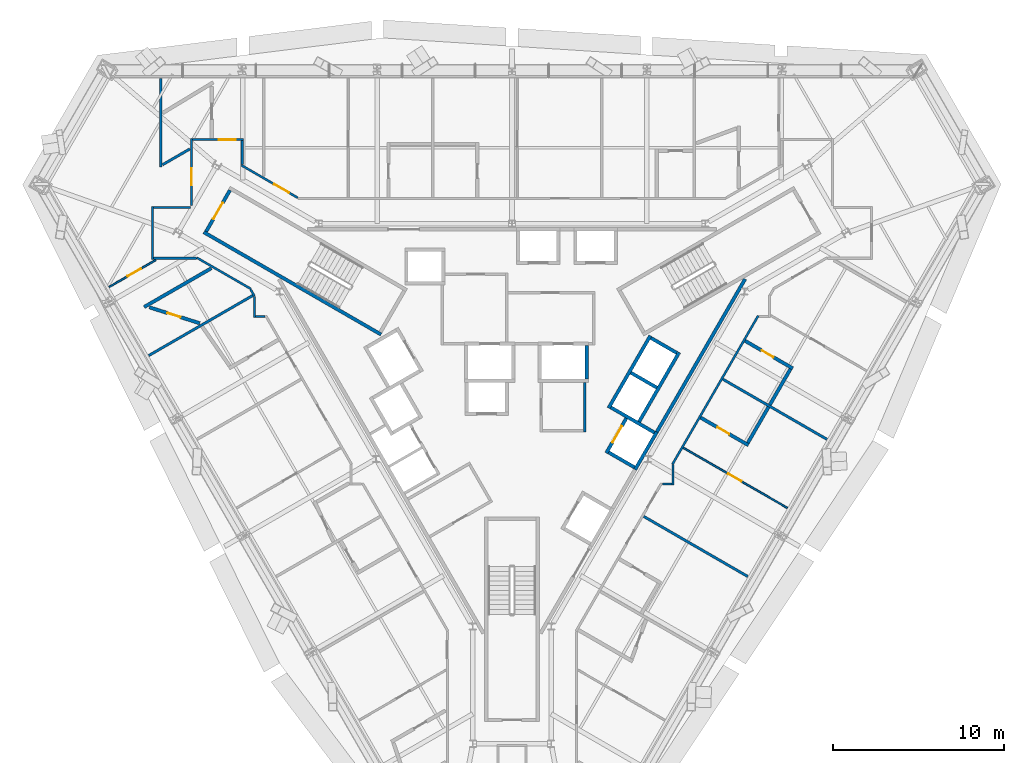
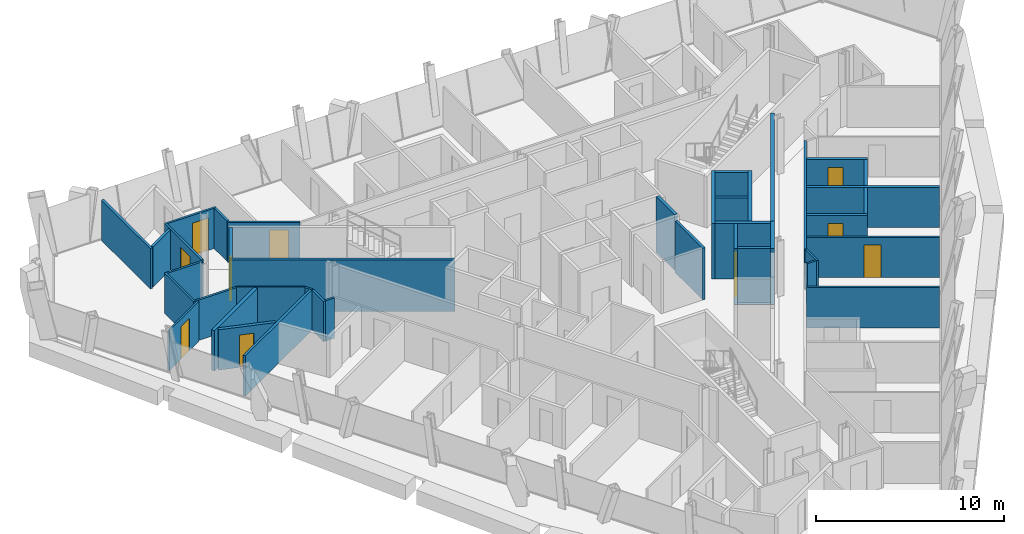
# One storey, part 9 of 13: 40 walls, 10 doors, 10 openings.
"""IFC4 building model written with IfcOpenShell, lengths in metres."""

from ifc_helpers import new_model, si_unit, direction, frame, frame_2d, origin, place, context, subcontext, project, spatial, rectangle, extrude, material, layer, layer_set, type_object, element, fill, save


model = new_model("IFC4")

# Units and contexts
model_context = context("Model", 3, precision=1e-05, world=origin(), true_north=direction((0.0, 1.0)))
body_context = subcontext(model_context, "Body", "Model", "MODEL_VIEW")
ifc_project = project(units=[si_unit("LENGTHUNIT", "METRE"), si_unit("AREAUNIT", "SQUARE_METRE"), si_unit("VOLUMEUNIT", "CUBIC_METRE"), si_unit("PLANEANGLEUNIT", "RADIAN"), si_unit("MASSUNIT", "GRAM", prefix="KILO")], contexts=[model_context])

# Site, building, storey
site_placement = place(None, origin())
site = spatial("IfcSite", under=ifc_project, at=site_placement, CompositionType="ELEMENT")
building_placement = place(site_placement, origin())
building = spatial("IfcBuilding", under=site, at=building_placement, Name="Verrane Prism Tower", CompositionType="ELEMENT")
storey_placement = place(building_placement, frame((0.0, 0.0, 100.0)))
storey = spatial("IfcBuildingStorey", under=building, at=storey_placement, Name="L23", CompositionType="ELEMENT", Elevation=100.0)

# Wall
ifc_material_1 = material(Name="Gypsum board partition", Category="other")
ifc_layer_1 = layer(ifc_material_1, 0.199951171875)
ifc_layer_set_1 = layer_set([ifc_layer_1], Name="CW-200 core boundary wall 2 h")
wall_type_1 = type_object("IfcWallType", Name="CW-200 core boundary wall 2 h", PredefinedType="PARTITIONING", material=ifc_layer_set_1)
wall_1_placement = place(storey_placement, frame((8.491943359375, -3.011962890625, 0.0), z_axis=(0.0, 0.0, 1.0), x_axis=(0.499972957231, 0.866041016371, 0.0)))
element("IfcWall", 1, at=wall_1_placement, inside=storey, type_object=wall_type_1, Name="Core boundary wall CW3-007", PredefinedType="PARTITIONING", context=body_context, shape_type="SweptSolid", body=[
    extrude(rectangle(XDim=10.3486328125, YDim=0.199951171875, at=frame_2d((5.17431640625, 0.0))), origin(), (0.0, 0.0, 1.0), 3.35009765625),
])

# Wall, opening, door
ifc_material_2 = material(Name="Concrete C40/50", Category="concrete")
ifc_layer_2 = layer(ifc_material_2, 0.199951171875)
ifc_layer_set_2 = layer_set([ifc_layer_2], Name="CW-200 stair core wall concrete C40/50 3 h")
wall_type_2 = type_object("IfcWallType", Name="CW-200 stair core wall concrete C40/50 3 h", PredefinedType="PARTITIONING", material=ifc_layer_set_2)
wall_2_placement = place(storey_placement, frame((-16.533935546875, 11.162353515625, 0.0), z_axis=(0.0, 0.0, 1.0), x_axis=(-0.49998411664, -0.866034573852, 0.0)))
wall_2 = element("IfcWall", 2, at=wall_2_placement, inside=storey, type_object=wall_type_2, Name="Stair 2 enclosure wall", PredefinedType="PARTITIONING", context=body_context, shape_type="SweptSolid", body=[
    extrude(rectangle(XDim=2.7998046875, YDim=0.199951171875, at=frame_2d((1.39990234375, 0.0))), origin(), (0.0, 0.0, 1.0), 3.35009765625),
])
opening_1_placement = place(wall_2_placement, frame((0.849853515625, 0.0, 0.0)))
opening_1 = element("IfcOpeningElement", 3, at=opening_1_placement, cuts=wall_2, Name="Opening D21501", PredefinedType="OPENING", context=body_context, shape_type="SweptSolid", body=[
    extrude(rectangle(XDim=1.10009765625, YDim=2.10009765625, at=frame_2d((0.550048828125, 1.050048828125))), frame((0.0, 0.10986328125, 0.0), z_axis=(0.0, -1.0, 0.0), x_axis=(1.0, 0.0, 0.0)), (0.0, 0.0, 1.0), 0.219970703125),
])
ifc_material_3 = material(Name="Timber veneered door leaf", Category="wood")
door_type_1 = type_object("IfcDoorType", Name="DR-1100x2100 FD90 single leaf stair", OperationType="NOTDEFINED", PredefinedType="DOOR", material=ifc_material_3)
door_1_placement = place(opening_1_placement, origin())
door_1 = element("IfcDoor", 4, at=door_1_placement, inside=storey, type_object=door_type_1, Name="Stair 2 door", OperationType="SINGLE_SWING_RIGHT", OverallHeight=2.10009765625, OverallWidth=1.10009765625, PredefinedType="DOOR", context=body_context, shape_type="SweptSolid", body=[
    extrude(rectangle(XDim=1.10009765625, YDim=2.10009765625, at=frame_2d((0.550048828125, 1.050048828125))), frame((0.0, 0.02490234375, 0.0), z_axis=(0.0, -1.0, 0.0), x_axis=(1.0, 0.0, 0.0)), (0.0, 0.0, 1.0), 0.050048828125),
])
fill(opening_1, door_1)

# Walls
wall_3_placement = place(storey_placement, frame((-7.67822265625, 2.700927734375, 0.0), z_axis=(0.0, 0.0, 1.0), x_axis=(-0.866026010844, 0.49999894854, 0.0)))
element("IfcWall", 5, at=wall_3_placement, inside=storey, type_object=wall_type_2, Name="Stair 2 enclosure wall", PredefinedType="PARTITIONING", context=body_context, shape_type="SweptSolid", body=[
    extrude(rectangle(XDim=12.0, YDim=0.199951171875, at=frame_2d((6.0, 0.0))), origin(), (0.0, 0.0, 1.0), 3.35009765625),
])
ifc_material_4 = material(Name="Gypsum board shaft wall assembly", Category="other")
ifc_layer_3 = layer(ifc_material_4, 0.199951171875)
ifc_layer_set_3 = layer_set([ifc_layer_3], Name="HW-200 lift shaft wall 2 h")
wall_type_3 = type_object("IfcWallType", Name="HW-200 lift shaft wall 2 h", PredefinedType="PARTITIONING", material=ifc_layer_set_3)
wall_4_placement = place(storey_placement, frame((7.215576171875, -5.222412109375, 0.0), z_axis=(0.0, 0.0, 1.0), x_axis=(0.499990435942, 0.866030925526, 0.0)))
element("IfcWall", 6, at=wall_4_placement, inside=storey, type_object=wall_type_3, Name="Lift shaft wall", PredefinedType="PARTITIONING", context=body_context, shape_type="SweptSolid", body=[
    extrude(rectangle(XDim=2.5498046875, YDim=0.199951171875, at=frame_2d((1.27490234375, 0.0))), origin(), (0.0, 0.0, 1.0), 3.60009765625),
])
wall_5_placement = place(storey_placement, frame((7.451171875, -2.4140625, 0.0), z_axis=(0.0, 0.0, 1.0), x_axis=(0.500016218704, 0.866016039709, 0.0)))
element("IfcWall", 7, at=wall_5_placement, inside=storey, type_object=wall_type_3, Name="Lift shaft wall", PredefinedType="PARTITIONING", context=body_context, shape_type="SweptSolid", body=[
    extrude(rectangle(XDim=4.699951171875, YDim=0.199951171875, at=frame_2d((2.35009765625, 0.0))), origin(), (0.0, 0.0, 1.0), 3.60009765625),
])

# Wall, opening, door
wall_6_placement = place(storey_placement, frame((5.52685546875, -4.247314453125, 0.0), z_axis=(0.0, 0.0, 1.0), x_axis=(0.499938297808, 0.866061024631, 0.0)))
wall_6 = element("IfcWall", 8, at=wall_6_placement, inside=storey, type_object=wall_type_3, Name="Lift shaft wall", PredefinedType="PARTITIONING", context=body_context, shape_type="SweptSolid", body=[
    extrude(rectangle(XDim=2.349853515625, YDim=0.199951171875, at=frame_2d((1.1748046875, 0.0))), origin(), (0.0, 0.0, 1.0), 3.60009765625),
])
opening_2_placement = place(wall_6_placement, frame((0.72509765625, 0.0, 0.0)))
opening_2 = element("IfcOpeningElement", 9, at=opening_2_placement, cuts=wall_6, Name="Opening D21507", PredefinedType="OPENING", context=body_context, shape_type="SweptSolid", body=[
    extrude(rectangle(XDim=1.10009765625, YDim=2.10009765625, at=frame_2d((0.550048828125, 1.050048828125))), frame((0.0, 0.10986328125, 0.0), z_axis=(0.0, -1.0, 0.0), x_axis=(1.0, 0.0, 0.0)), (0.0, 0.0, 1.0), 0.219970703125),
])
ifc_material_5 = material(Name="Stainless steel sliding landing door", Category="steel")
door_type_2 = type_object("IfcDoorType", Name="LD-1100x2100 lift landing door FD90 sliding", OperationType="NOTDEFINED", PredefinedType="DOOR", material=ifc_material_5)
door_2_placement = place(opening_2_placement, origin())
door_2 = element("IfcDoor", 10, at=door_2_placement, inside=storey, type_object=door_type_2, Name="Bank A lift 5 landing door", OperationType="SLIDING_TO_LEFT", OverallHeight=2.10009765625, OverallWidth=1.10009765625, PredefinedType="DOOR", context=body_context, shape_type="SweptSolid", body=[
    extrude(rectangle(XDim=1.10009765625, YDim=2.10009765625, at=frame_2d((0.550048828125, 1.050048828125))), frame((0.0, 0.02490234375, 0.0), z_axis=(0.0, -1.0, 0.0), x_axis=(1.0, 0.0, 0.0)), (0.0, 0.0, 1.0), 0.050048828125),
])
fill(opening_2, door_2)

# Walls
wall_7_placement = place(storey_placement, frame((5.66259765625, -1.6123046875, 0.0), z_axis=(0.0, 0.0, 1.0), x_axis=(0.49998122708, 0.866036242063, 0.0)))
element("IfcWall", 11, at=wall_7_placement, inside=storey, type_object=wall_type_3, Name="Lift shaft wall", PredefinedType="PARTITIONING", context=body_context, shape_type="SweptSolid", body=[
    extrude(rectangle(XDim=4.900146484375, YDim=0.199951171875, at=frame_2d((2.4501953125, 0.0))), origin(), (0.0, 0.0, 1.0), 3.60009765625),
])
wall_8_placement = place(storey_placement, frame((4.375, 0.10009765625, 0.0), z_axis=(0.0, 0.0, 1.0), x_axis=(0.0, 1.0, 0.0)))
element("IfcWall", 12, at=wall_8_placement, inside=storey, type_object=wall_type_3, Name="Lift shaft wall", PredefinedType="PARTITIONING", context=body_context, shape_type="SweptSolid", body=[
    extrude(rectangle(XDim=1.949951171875, YDim=0.199951171875, at=frame_2d((0.97509765625, 0.0))), origin(), (0.0, 0.0, 1.0), 3.60009765625),
])
wall_9_placement = place(storey_placement, frame((9.66455078125, 1.61962890625, 0.0), z_axis=(0.0, 0.0, 1.0), x_axis=(-0.866002029911, 0.500040482552, 0.0)))
element("IfcWall", 13, at=wall_9_placement, inside=storey, type_object=wall_type_3, Name="Lift shaft wall", PredefinedType="PARTITIONING", context=body_context, shape_type="SweptSolid", body=[
    extrude(rectangle(XDim=1.749755859375, YDim=0.199951171875, at=frame_2d((0.875, 0.0))), origin(), (0.0, 0.0, 1.0), 3.60009765625),
])
wall_10_placement = place(storey_placement, frame((8.48974609375, -0.41552734375, 0.0), z_axis=(0.0, 0.0, 1.0), x_axis=(-0.866036909293, 0.499980071345, 0.0)))
element("IfcWall", 14, at=wall_10_placement, inside=storey, type_object=wall_type_3, Name="Lift shaft wall", PredefinedType="PARTITIONING", context=body_context, shape_type="SweptSolid", body=[
    extrude(rectangle(XDim=1.75, YDim=0.199951171875, at=frame_2d((0.875, 0.0))), origin(), (0.0, 0.0, 1.0), 3.60009765625),
])
wall_11_placement = place(storey_placement, frame((8.35400390625, -3.050537109375, 0.0), z_axis=(0.0, 0.0, 1.0), x_axis=(-0.866060182126, 0.499939757307, 0.0)))
element("IfcWall", 15, at=wall_11_placement, inside=storey, type_object=wall_type_3, Name="Lift shaft wall", PredefinedType="PARTITIONING", context=body_context, shape_type="SweptSolid", body=[
    extrude(rectangle(XDim=2.949951171875, YDim=0.199951171875, at=frame_2d((1.47509765625, 0.0))), origin(), (0.0, 0.0, 1.0), 3.60009765625),
])
wall_12_placement = place(storey_placement, frame((7.178955078125, -5.085693359375, 0.0), z_axis=(0.0, 0.0, 1.0), x_axis=(-0.866036909293, 0.499980071345, 0.0)))
element("IfcWall", 16, at=wall_12_placement, inside=storey, type_object=wall_type_3, Name="Lift shaft wall", PredefinedType="PARTITIONING", context=body_context, shape_type="SweptSolid", body=[
    extrude(rectangle(XDim=1.75, YDim=0.199951171875, at=frame_2d((0.875, 0.0))), origin(), (0.0, 0.0, 1.0), 3.60009765625),
])

# Wall, opening, door
ifc_material_6 = material(Name="Gypsum board partition", Category="other")
ifc_layer_4 = layer(ifc_material_6, 0.10009765625)
ifc_layer_set_4 = layer_set([ifc_layer_4], Name="PW-100 room partition")
wall_type_4 = type_object("IfcWallType", Name="PW-100 room partition", PredefinedType="PARTITIONING", material=ifc_layer_set_4)
wall_13_placement = place(storey_placement, frame((-20.88037109375, 7.067138671875, 0.0), z_axis=(0.0, 0.0, 1.0), x_axis=(-0.866127794624, -0.499822611913, 0.0)))
wall_13 = element("IfcWall", 17, at=wall_13_placement, inside=storey, type_object=wall_type_4, Name="Room partition 001", PredefinedType="PARTITIONING", context=body_context, shape_type="SweptSolid", body=[
    extrude(rectangle(XDim=3.165283203125, YDim=0.10009765625, at=frame_2d((1.58251953125, 0.0))), origin(), (0.0, 0.0, 1.0), 2.613037109375),
])
opening_3_placement = place(wall_13_placement, frame((1.01123046875, 0.0, 0.0)))
opening_3 = element("IfcOpeningElement", 18, at=opening_3_placement, cuts=wall_13, Name="Opening D21026", PredefinedType="OPENING", context=body_context, shape_type="SweptSolid", body=[
    extrude(rectangle(XDim=0.89990234375, YDim=2.10009765625, at=frame_2d((0.449951171875, 1.050048828125))), frame((0.0, 0.06005859375, 0.0), z_axis=(0.0, -1.0, 0.0), x_axis=(1.0, 0.0, 0.0)), (0.0, 0.0, 1.0), 0.1201171875),
])
ifc_material_7 = material(Name="Timber veneered door leaf", Category="wood")
door_type_3 = type_object("IfcDoorType", Name="DR-900x2100 single leaf inner", OperationType="NOTDEFINED", PredefinedType="DOOR", material=ifc_material_7)
door_3_placement = place(opening_3_placement, origin())
door_3 = element("IfcDoor", 19, at=door_3_placement, inside=storey, type_object=door_type_3, Name="Suite Living Room door", OperationType="SINGLE_SWING_LEFT", OverallHeight=2.10009765625, OverallWidth=0.89990234375, PredefinedType="DOOR", context=body_context, shape_type="SweptSolid", body=[
    extrude(rectangle(XDim=0.89990234375, YDim=2.10009765625, at=frame_2d((0.449951171875, 1.050048828125))), frame((0.0, 0.02490234375, 0.0), z_axis=(0.0, -1.0, 0.0), x_axis=(1.0, 0.0, 0.0)), (0.0, 0.0, 1.0), 0.050048828125),
])
fill(opening_3, door_3)

wall_14_placement = place(storey_placement, frame((10.037109375, -3.940185546875, 0.0), z_axis=(0.0, 0.0, 1.0), x_axis=(0.866063951978, -0.499933226626, 0.0)))
wall_14 = element("IfcWall", 20, at=wall_14_placement, inside=storey, type_object=wall_type_4, Name="Room partition 072", PredefinedType="PARTITIONING", context=body_context, shape_type="SweptSolid", body=[
    extrude(rectangle(XDim=7.05224609375, YDim=0.10009765625, at=frame_2d((3.526123046875, 0.0))), origin(), (0.0, 0.0, 1.0), 2.613037109375),
])
opening_4_placement = place(wall_14_placement, frame((3.03759765625, 0.0, 0.0)))
opening_4 = element("IfcOpeningElement", 21, at=opening_4_placement, cuts=wall_14, Name="Opening D21007", PredefinedType="OPENING", context=body_context, shape_type="SweptSolid", body=[
    extrude(rectangle(XDim=0.89990234375, YDim=2.10009765625, at=frame_2d((0.449951171875, 1.050048828125))), frame((0.0, 0.06005859375, 0.0), z_axis=(0.0, -1.0, 0.0), x_axis=(1.0, 0.0, 0.0)), (0.0, 0.0, 1.0), 0.1201171875),
])
door_4_placement = place(opening_4_placement, origin())
door_4 = element("IfcDoor", 22, at=door_4_placement, inside=storey, type_object=door_type_3, Name="Suite Living Room door", OperationType="SINGLE_SWING_LEFT", OverallHeight=2.10009765625, OverallWidth=0.89990234375, PredefinedType="DOOR", context=body_context, shape_type="SweptSolid", body=[
    extrude(rectangle(XDim=0.89990234375, YDim=2.10009765625, at=frame_2d((0.449951171875, 1.050048828125))), frame((0.0, 0.02490234375, 0.0), z_axis=(0.0, -1.0, 0.0), x_axis=(1.0, 0.0, 0.0)), (0.0, 0.0, 1.0), 0.050048828125),
])
fill(opening_4, door_4)

# Walls
ifc_material_8 = material(Name="Gypsum board partition", Category="other")
ifc_layer_5 = layer(ifc_material_8, 0.125)
ifc_layer_set_5 = layer_set([ifc_layer_5], Name="PW-125 corridor wall 1 h")
wall_type_5 = type_object("IfcWallType", Name="PW-125 corridor wall 1 h", PredefinedType="PARTITIONING", material=ifc_layer_set_5)
wall_15_placement = place(storey_placement, frame((-21.0869140625, 7.110595703125, 0.0), z_axis=(0.0, 0.0, 1.0), x_axis=(0.0, 1.0, 0.0)))
element("IfcWall", 23, at=wall_15_placement, inside=storey, type_object=wall_type_5, Name="Corridor wall 005", PredefinedType="PARTITIONING", context=body_context, shape_type="SweptSolid", body=[
    extrude(rectangle(XDim=3.098876953125, YDim=0.125, at=frame_2d((1.54931640625, 0.0))), origin(), (0.0, 0.0, 1.0), 2.613037109375),
])
wall_16_placement = place(storey_placement, frame((-21.02197265625, 7.173095703125, 0.0), z_axis=(0.0, 0.0, 1.0), x_axis=(1.0, 0.0, 0.0)))
element("IfcWall", 24, at=wall_16_placement, inside=storey, type_object=wall_type_5, Name="Corridor wall 006", PredefinedType="PARTITIONING", context=body_context, shape_type="SweptSolid", body=[
    extrude(rectangle(XDim=2.512939453125, YDim=0.125, at=frame_2d((1.25634765625, 0.0))), origin(), (0.0, 0.0, 1.0), 2.613037109375),
])
wall_17_placement = place(storey_placement, frame((-21.02197265625, 10.14697265625, 0.0), z_axis=(0.0, 0.0, 1.0), x_axis=(1.0, 0.0, 0.0)))
element("IfcWall", 25, at=wall_17_placement, inside=storey, type_object=wall_type_5, Name="Corridor wall 007", PredefinedType="PARTITIONING", context=body_context, shape_type="SweptSolid", body=[
    extrude(rectangle(XDim=2.169921875, YDim=0.125, at=frame_2d((1.0849609375, 0.0))), origin(), (0.0, 0.0, 1.0), 2.613037109375),
])

# Wall, opening, door
wall_18_placement = place(storey_placement, frame((-18.787109375, 10.259033203125, 0.0), z_axis=(0.0, 0.0, 1.0), x_axis=(0.0, 1.0, 0.0)))
wall_18 = element("IfcWall", 26, at=wall_18_placement, inside=storey, type_object=wall_type_5, Name="Corridor wall 011", PredefinedType="PARTITIONING", context=body_context, shape_type="SweptSolid", body=[
    extrude(rectangle(XDim=3.930419921875, YDim=0.125, at=frame_2d((1.96533203125, 0.0))), origin(), (0.0, 0.0, 1.0), 2.613037109375),
])
opening_5_placement = place(wall_18_placement, frame((1.199951171875, 0.0, 0.0)))
opening_5 = element("IfcOpeningElement", 27, at=opening_5_placement, cuts=wall_18, Name="Opening D21025", PredefinedType="OPENING", context=body_context, shape_type="SweptSolid", body=[
    extrude(rectangle(XDim=1.0, YDim=2.10009765625, at=frame_2d((0.5, 1.050048828125))), frame((0.0, 0.072509765625, 0.0), z_axis=(0.0, -1.0, 0.0), x_axis=(1.0, 0.0, 0.0)), (0.0, 0.0, 1.0), 0.14501953125),
])
ifc_material_9 = material(Name="Timber veneered door leaf", Category="wood")
door_type_4 = type_object("IfcDoorType", Name="DR-1000x2100 FD20 single leaf unit", OperationType="NOTDEFINED", PredefinedType="DOOR", material=ifc_material_9)
door_5_placement = place(opening_5_placement, origin())
door_5 = element("IfcDoor", 28, at=door_5_placement, inside=storey, type_object=door_type_4, Name="Suite Living Room door", OperationType="SINGLE_SWING_LEFT", OverallHeight=2.10009765625, OverallWidth=1.0, PredefinedType="DOOR", context=body_context, shape_type="SweptSolid", body=[
    extrude(rectangle(XDim=1.0, YDim=2.10009765625, at=frame_2d((0.5, 1.050048828125))), frame((0.0, 0.02490234375, 0.0), z_axis=(0.0, -1.0, 0.0), x_axis=(1.0, 0.0, 0.0)), (0.0, 0.0, 1.0), 0.050048828125),
])
fill(opening_5, door_5)

wall_19_placement = place(storey_placement, frame((-18.721923828125, 14.126953125, 0.0), z_axis=(0.0, 0.0, 1.0), x_axis=(1.0, 0.0, 0.0)))
wall_19 = element("IfcWall", 29, at=wall_19_placement, inside=storey, type_object=wall_type_5, Name="Corridor wall 012", PredefinedType="PARTITIONING", context=body_context, shape_type="SweptSolid", body=[
    extrude(rectangle(XDim=2.971435546875, YDim=0.125, at=frame_2d((1.48583984375, 0.0))), origin(), (0.0, 0.0, 1.0), 2.613037109375),
])
opening_6_placement = place(wall_19_placement, frame((1.51904296875, 0.0, 0.0)))
opening_6 = element("IfcOpeningElement", 30, at=opening_6_placement, cuts=wall_19, Name="Opening D21023", PredefinedType="OPENING", context=body_context, shape_type="SweptSolid", body=[
    extrude(rectangle(XDim=1.0, YDim=2.10009765625, at=frame_2d((0.5, 1.050048828125))), frame((0.0, 0.072509765625, 0.0), z_axis=(0.0, -1.0, 0.0), x_axis=(1.0, 0.0, 0.0)), (0.0, 0.0, 1.0), 0.14501953125),
])
door_6_placement = place(opening_6_placement, origin())
door_6 = element("IfcDoor", 31, at=door_6_placement, inside=storey, type_object=door_type_4, Name="Accessible Guest Room door", OperationType="SINGLE_SWING_LEFT", OverallHeight=2.10009765625, OverallWidth=1.0, PredefinedType="DOOR", context=body_context, shape_type="SweptSolid", body=[
    extrude(rectangle(XDim=1.0, YDim=2.10009765625, at=frame_2d((0.5, 1.050048828125))), frame((0.0, 0.02490234375, 0.0), z_axis=(0.0, -1.0, 0.0), x_axis=(1.0, 0.0, 0.0)), (0.0, 0.0, 1.0), 0.050048828125),
])
fill(opening_6, door_6)

# Walls
wall_20_placement = place(storey_placement, frame((-18.47802734375, 7.204345703125, 0.0), z_axis=(0.0, 0.0, 1.0), x_axis=(0.866011320536, -0.500024392108, 0.0)))
element("IfcWall", 32, at=wall_20_placement, inside=storey, type_object=wall_type_5, Name="Corridor wall 013", PredefinedType="PARTITIONING", context=body_context, shape_type="SweptSolid", body=[
    extrude(rectangle(XDim=3.662841796875, YDim=0.125, at=frame_2d((1.83154296875, 0.0))), origin(), (0.0, 0.0, 1.0), 2.613037109375),
])
wall_21_placement = place(storey_placement, frame((-15.81298828125, 12.678955078125, 0.0), z_axis=(0.0, 0.0, 1.0), x_axis=(0.0, 1.0, 0.0)))
element("IfcWall", 33, at=wall_21_placement, inside=storey, type_object=wall_type_5, Name="Corridor wall 019", PredefinedType="PARTITIONING", context=body_context, shape_type="SweptSolid", body=[
    extrude(rectangle(XDim=1.383056640625, YDim=0.125, at=frame_2d((0.69140625, 0.0))), origin(), (0.0, 0.0, 1.0), 2.613037109375),
])

# Wall, opening, door
wall_22_placement = place(storey_placement, frame((-15.8671875, 12.625244140625, 0.0), z_axis=(0.0, 0.0, 1.0), x_axis=(0.86603035395, -0.499991425964, 0.0)))
wall_22 = element("IfcWall", 34, at=wall_22_placement, inside=storey, type_object=wall_type_5, Name="Corridor wall 020", PredefinedType="PARTITIONING", context=body_context, shape_type="SweptSolid", body=[
    extrude(rectangle(XDim=3.82373046875, YDim=0.125, at=frame_2d((1.911865234375, 0.0))), origin(), (0.0, 0.0, 1.0), 2.613037109375),
])
opening_7_placement = place(wall_22_placement, frame((2.218505859375, 0.0, 0.0)))
opening_7 = element("IfcOpeningElement", 35, at=opening_7_placement, cuts=wall_22, Name="Opening D21020", PredefinedType="OPENING", context=body_context, shape_type="SweptSolid", body=[
    extrude(rectangle(XDim=1.0, YDim=2.10009765625, at=frame_2d((0.5, 1.050048828125))), frame((0.0, 0.072509765625, 0.0), z_axis=(0.0, -1.0, 0.0), x_axis=(1.0, 0.0, 0.0)), (0.0, 0.0, 1.0), 0.14501953125),
])
door_7_placement = place(opening_7_placement, origin())
door_7 = element("IfcDoor", 36, at=door_7_placement, inside=storey, type_object=door_type_4, Name="Suite Living Room door", OperationType="SINGLE_SWING_RIGHT", OverallHeight=2.10009765625, OverallWidth=1.0, PredefinedType="DOOR", context=body_context, shape_type="SweptSolid", body=[
    extrude(rectangle(XDim=1.0, YDim=2.10009765625, at=frame_2d((0.5, 1.050048828125))), frame((0.0, 0.02490234375, 0.0), z_axis=(0.0, -1.0, 0.0), x_axis=(1.0, 0.0, 0.0)), (0.0, 0.0, 1.0), 0.050048828125),
])
fill(opening_7, door_7)

# Walls
wall_23_placement = place(storey_placement, frame((-15.317626953125, 5.330322265625, 0.0), z_axis=(0.0, 0.0, 1.0), x_axis=(0.499836277606, -0.86611990832, 0.0)))
element("IfcWall", 37, at=wall_23_placement, inside=storey, type_object=wall_type_5, Name="Corridor wall 021", PredefinedType="PARTITIONING", context=body_context, shape_type="SweptSolid", body=[
    extrude(rectangle(XDim=0.433349609375, YDim=0.125, at=frame_2d((0.216796875, 0.0))), origin(), (0.0, 0.0, 1.0), 2.613037109375),
])
wall_24_placement = place(storey_placement, frame((-15.10107421875, 3.6865234375, 0.0), z_axis=(0.0, 0.0, 1.0), x_axis=(0.0, 1.0, 0.0)))
element("IfcWall", 38, at=wall_24_placement, inside=storey, type_object=wall_type_5, Name="Corridor wall 022", PredefinedType="PARTITIONING", context=body_context, shape_type="SweptSolid", body=[
    extrude(rectangle(XDim=1.236083984375, YDim=0.125, at=frame_2d((0.6181640625, 0.0))), origin(), (0.0, 0.0, 1.0), 2.613037109375),
])
wall_25_placement = place(storey_placement, frame((-15.035888671875, 3.7490234375, 0.0), z_axis=(0.0, 0.0, 1.0), x_axis=(1.0, 0.0, 0.0)))
element("IfcWall", 39, at=wall_25_placement, inside=storey, type_object=wall_type_5, Name="Corridor wall 023", PredefinedType="PARTITIONING", context=body_context, shape_type="SweptSolid", body=[
    extrude(rectangle(XDim=0.546875, YDim=0.125, at=frame_2d((0.2734375, 0.0))), origin(), (0.0, 0.0, 1.0), 2.613037109375),
])
wall_26_placement = place(storey_placement, frame((8.820068359375, -6.071044921875, 0.0), z_axis=(0.0, 0.0, 1.0), x_axis=(1.0, 0.0, 0.0)))
element("IfcWall", 40, at=wall_26_placement, inside=storey, type_object=wall_type_5, Name="Corridor wall 069", PredefinedType="PARTITIONING", context=body_context, shape_type="SweptSolid", body=[
    extrude(rectangle(XDim=0.555908203125, YDim=0.125, at=frame_2d((0.27783203125, 0.0))), origin(), (0.0, 0.0, 1.0), 2.613037109375),
])
wall_27_placement = place(storey_placement, frame((9.44091796875, -6.133544921875, 0.0), z_axis=(0.0, 0.0, 1.0), x_axis=(0.0, 1.0, 0.0)))
element("IfcWall", 41, at=wall_27_placement, inside=storey, type_object=wall_type_5, Name="Corridor wall 070", PredefinedType="PARTITIONING", context=body_context, shape_type="SweptSolid", body=[
    extrude(rectangle(XDim=1.200439453125, YDim=0.125, at=frame_2d((0.60009765625, 0.0))), origin(), (0.0, 0.0, 1.0), 2.613037109375),
])
wall_28_placement = place(storey_placement, frame((9.40966796875, -4.902099609375, 0.0), z_axis=(0.0, 0.0, 1.0), x_axis=(0.499971244726, 0.866042005013, 0.0)))
element("IfcWall", 42, at=wall_28_placement, inside=storey, type_object=wall_type_5, Name="Corridor wall 071", PredefinedType="PARTITIONING", context=body_context, shape_type="SweptSolid", body=[
    extrude(rectangle(XDim=10.0517578125, YDim=0.125, at=frame_2d((5.02587890625, 0.0))), origin(), (0.0, 0.0, 1.0), 2.613037109375),
])
ifc_material_10 = material(Name="Gypsum board partition", Category="other")
ifc_layer_6 = layer(ifc_material_10, 0.14990234375)
ifc_layer_set_6 = layer_set([ifc_layer_6], Name="PW-150 demising wall 1 h")
wall_type_6 = type_object("IfcWallType", Name="PW-150 demising wall 1 h", PredefinedType="PARTITIONING", material=ifc_layer_set_6)
wall_29_placement = place(storey_placement, frame((-21.300537109375, 1.464111328125, 0.0), z_axis=(0.0, 0.0, 1.0), x_axis=(0.866055299146, 0.49994821614, 0.0)))
element("IfcWall", 43, at=wall_29_placement, inside=storey, type_object=wall_type_6, Name="Demising wall 004", PredefinedType="PARTITIONING", context=body_context, shape_type="SweptSolid", body=[
    extrude(rectangle(XDim=7.052001953125, YDim=0.14990234375, at=frame_2d((3.52587890625, 0.0))), origin(), (0.0, 0.0, 1.0), 2.613037109375),
])
wall_30_placement = place(storey_placement, frame((-20.60302734375, 12.512939453125, 0.0), z_axis=(0.0, 0.0, 1.0), x_axis=(0.0, 1.0, 0.0)))
element("IfcWall", 44, at=wall_30_placement, inside=storey, type_object=wall_type_6, Name="Demising wall 008", PredefinedType="PARTITIONING", context=body_context, shape_type="SweptSolid", body=[
    extrude(rectangle(XDim=5.2021484375, YDim=0.14990234375, at=frame_2d((2.60107421875, 0.0))), origin(), (0.0, 0.0, 1.0), 2.613037109375),
])
wall_31_placement = place(storey_placement, frame((-20.490478515625, 12.653076171875, 0.0), z_axis=(0.0, 0.0, 1.0), x_axis=(0.866141673836, 0.499798560267, 0.0)))
element("IfcWall", 45, at=wall_31_placement, inside=storey, type_object=wall_type_6, Name="Demising wall 009", PredefinedType="PARTITIONING", context=body_context, shape_type="SweptSolid", body=[
    extrude(rectangle(XDim=1.851318359375, YDim=0.14990234375, at=frame_2d((0.92578125, 0.0))), origin(), (0.0, 0.0, 1.0), 2.613037109375),
])
wall_32_placement = place(storey_placement, frame((7.720458984375, -7.962646484375, 0.0), z_axis=(0.0, 0.0, 1.0), x_axis=(0.865980767462, -0.500077304409, 0.0)))
element("IfcWall", 46, at=wall_32_placement, inside=storey, type_object=wall_type_6, Name="Demising wall 066", PredefinedType="PARTITIONING", context=body_context, shape_type="SweptSolid", body=[
    extrude(rectangle(XDim=7.04736328125, YDim=0.14990234375, at=frame_2d((3.523681640625, 0.0))), origin(), (0.0, 0.0, 1.0), 2.613037109375),
])
wall_33_placement = place(storey_placement, frame((12.362548828125, 0.078369140625, 0.0), z_axis=(0.0, 0.0, 1.0), x_axis=(0.86605175433, -0.499954356739, 0.0)))
element("IfcWall", 47, at=wall_33_placement, inside=storey, type_object=wall_type_6, Name="Demising wall 076", PredefinedType="PARTITIONING", context=body_context, shape_type="SweptSolid", body=[
    extrude(rectangle(XDim=7.047607421875, YDim=0.14990234375, at=frame_2d((3.52392578125, 0.0))), origin(), (0.0, 0.0, 1.0), 2.613037109375),
])

# Wall, opening, door
ifc_material_11 = material(Name="Gypsum board partition", Category="other")
ifc_layer_7 = layer(ifc_material_11, 0.199951171875)
ifc_layer_set_7 = layer_set([ifc_layer_7], Name="PW-200 plumbing wall")
wall_type_7 = type_object("IfcWallType", Name="PW-200 plumbing wall", PredefinedType="PARTITIONING", material=ifc_layer_set_7)
wall_34_placement = place(storey_placement, frame((-21.263427734375, 4.296142578125, 0.0), z_axis=(0.0, 0.0, 1.0), x_axis=(0.95341383314, -0.301665481582, 0.0)))
wall_34 = element("IfcWall", 48, at=wall_34_placement, inside=storey, type_object=wall_type_7, Name="Plumbing wall 002", PredefinedType="PARTITIONING", context=body_context, shape_type="SweptSolid", body=[
    extrude(rectangle(XDim=3.106201171875, YDim=0.199951171875, at=frame_2d((1.55322265625, 0.0))), origin(), (0.0, 0.0, 1.0), 2.613037109375),
])
opening_8_placement = place(wall_34_placement, frame((1.125, 0.0, 0.0)))
opening_8 = element("IfcOpeningElement", 49, at=opening_8_placement, cuts=wall_34, Name="Opening D21027", PredefinedType="OPENING", context=body_context, shape_type="SweptSolid", body=[
    extrude(rectangle(XDim=0.800048828125, YDim=2.10009765625, at=frame_2d((0.39990234375, 1.050048828125))), frame((0.0, 0.10986328125, 0.0), z_axis=(0.0, -1.0, 0.0), x_axis=(1.0, 0.0, 0.0)), (0.0, 0.0, 1.0), 0.219970703125),
])
ifc_material_12 = material(Name="Timber veneered door leaf", Category="wood")
door_type_5 = type_object("IfcDoorType", Name="DR-800x2100 single leaf bath", OperationType="NOTDEFINED", PredefinedType="DOOR", material=ifc_material_12)
door_8_placement = place(opening_8_placement, origin())
door_8 = element("IfcDoor", 50, at=door_8_placement, inside=storey, type_object=door_type_5, Name="En-Suite door", OperationType="SINGLE_SWING_LEFT", OverallHeight=2.10009765625, OverallWidth=0.800048828125, PredefinedType="DOOR", context=body_context, shape_type="SweptSolid", body=[
    extrude(rectangle(XDim=0.800048828125, YDim=2.10009765625, at=frame_2d((0.39990234375, 1.050048828125))), frame((0.0, 0.02490234375, 0.0), z_axis=(0.0, -1.0, 0.0), x_axis=(1.0, 0.0, 0.0)), (0.0, 0.0, 1.0), 0.050048828125),
])
fill(opening_8, door_8)

# Wall
wall_35_placement = place(storey_placement, frame((-21.564697265625, 4.31396484375, 0.0), z_axis=(0.0, 0.0, 1.0), x_axis=(0.866058501026, 0.499942669514, 0.0)))
element("IfcWall", 51, at=wall_35_placement, inside=storey, type_object=wall_type_7, Name="Plumbing wall 003", PredefinedType="PARTITIONING", context=body_context, shape_type="SweptSolid", body=[
    extrude(rectangle(XDim=4.54248046875, YDim=0.199951171875, at=frame_2d((2.271240234375, 0.0))), origin(), (0.0, 0.0, 1.0), 2.613037109375),
])

# Wall, opening, door
wall_36_placement = place(storey_placement, frame((11.0625, -2.173828125, 0.0), z_axis=(0.0, 0.0, 1.0), x_axis=(0.866078705744, -0.499907666931, 0.0)))
wall_36 = element("IfcWall", 52, at=wall_36_placement, inside=storey, type_object=wall_type_7, Name="Plumbing wall 075", PredefinedType="PARTITIONING", context=body_context, shape_type="SweptSolid", body=[
    extrude(rectangle(XDim=3.23291015625, YDim=0.199951171875, at=frame_2d((1.616455078125, 0.0))), origin(), (0.0, 0.0, 1.0), 2.613037109375),
])
opening_9_placement = place(wall_36_placement, frame((1.132568359375, 0.0, 0.0)))
opening_9 = element("IfcOpeningElement", 53, at=opening_9_placement, cuts=wall_36, Name="Opening D21008", PredefinedType="OPENING", context=body_context, shape_type="SweptSolid", body=[
    extrude(rectangle(XDim=0.800048828125, YDim=2.10009765625, at=frame_2d((0.39990234375, 1.050048828125))), frame((0.0, 0.10986328125, 0.0), z_axis=(0.0, -1.0, 0.0), x_axis=(1.0, 0.0, 0.0)), (0.0, 0.0, 1.0), 0.219970703125),
])
door_9_placement = place(opening_9_placement, origin())
door_9 = element("IfcDoor", 54, at=door_9_placement, inside=storey, type_object=door_type_5, Name="En-Suite door", OperationType="SINGLE_SWING_RIGHT", OverallHeight=2.10009765625, OverallWidth=0.800048828125, PredefinedType="DOOR", context=body_context, shape_type="SweptSolid", body=[
    extrude(rectangle(XDim=0.800048828125, YDim=2.10009765625, at=frame_2d((0.39990234375, 1.050048828125))), frame((0.0, 0.02490234375, 0.0), z_axis=(0.0, -1.0, 0.0), x_axis=(1.0, 0.0, 0.0)), (0.0, 0.0, 1.0), 0.050048828125),
])
fill(opening_9, door_9)

wall_37_placement = place(storey_placement, frame((16.462646484375, 0.714111328125, 0.0), z_axis=(0.0, 0.0, 1.0), x_axis=(-0.86609757561, 0.499874973892, 0.0)))
wall_37 = element("IfcWall", 55, at=wall_37_placement, inside=storey, type_object=wall_type_7, Name="Plumbing wall 079", PredefinedType="PARTITIONING", context=body_context, shape_type="SweptSolid", body=[
    extrude(rectangle(XDim=3.233154296875, YDim=0.199951171875, at=frame_2d((1.61669921875, 0.0))), origin(), (0.0, 0.0, 1.0), 2.613037109375),
])
opening_10_placement = place(wall_37_placement, frame((1.300537109375, 0.0, 0.0)))
opening_10 = element("IfcOpeningElement", 56, at=opening_10_placement, cuts=wall_37, Name="Opening D21011", PredefinedType="OPENING", context=body_context, shape_type="SweptSolid", body=[
    extrude(rectangle(XDim=0.800048828125, YDim=2.10009765625, at=frame_2d((0.39990234375, 1.050048828125))), frame((0.0, 0.10986328125, 0.0), z_axis=(0.0, -1.0, 0.0), x_axis=(1.0, 0.0, 0.0)), (0.0, 0.0, 1.0), 0.219970703125),
])
door_10_placement = place(opening_10_placement, origin())
door_10 = element("IfcDoor", 57, at=door_10_placement, inside=storey, type_object=door_type_5, Name="En-Suite door", OperationType="SINGLE_SWING_RIGHT", OverallHeight=2.10009765625, OverallWidth=0.800048828125, PredefinedType="DOOR", context=body_context, shape_type="SweptSolid", body=[
    extrude(rectangle(XDim=0.800048828125, YDim=2.10009765625, at=frame_2d((0.39990234375, 1.050048828125))), frame((0.0, 0.02490234375, 0.0), z_axis=(0.0, -1.0, 0.0), x_axis=(1.0, 0.0, 0.0)), (0.0, 0.0, 1.0), 0.050048828125),
])
fill(opening_10, door_10)

# Walls
wall_38_placement = place(storey_placement, frame((13.825927734375, -3.6533203125, 0.0), z_axis=(0.0, 0.0, 1.0), x_axis=(0.499719542643, 0.866187265377, 0.0)))
element("IfcWall", 58, at=wall_38_placement, inside=storey, type_object=wall_type_7, Name="Plumbing wall 080", PredefinedType="PARTITIONING", context=body_context, shape_type="SweptSolid", body=[
    extrude(rectangle(XDim=2.42041015625, YDim=0.199951171875, at=frame_2d((1.210205078125, 0.0))), origin(), (0.0, 0.0, 1.0), 2.613037109375),
])
wall_39_placement = place(storey_placement, frame((15.115478515625, -1.4189453125, 0.0), z_axis=(0.0, 0.0, 1.0), x_axis=(0.50002218001, 0.866012597771, 0.0)))
element("IfcWall", 59, at=wall_39_placement, inside=storey, type_object=wall_type_7, Name="Plumbing wall 082", PredefinedType="PARTITIONING", context=body_context, shape_type="SweptSolid", body=[
    extrude(rectangle(XDim=2.4208984375, YDim=0.199951171875, at=frame_2d((1.21044921875, 0.0))), origin(), (0.0, 0.0, 1.0), 2.613037109375),
])
ifc_material_13 = material(Name="Gypsum board partition", Category="other")
ifc_layer_8 = layer(ifc_material_13, 0.14990234375)
ifc_layer_set_8 = layer_set([ifc_layer_8], Name="RS-150 riser enclosure wall 1 h")
wall_type_8 = type_object("IfcWallType", Name="RS-150 riser enclosure wall 1 h", PredefinedType="PARTITIONING", material=ifc_layer_set_8)
wall_40_placement = place(storey_placement, frame((4.27490234375, -3.02490234375, 0.0), z_axis=(0.0, 0.0, 1.0), x_axis=(0.0, 1.0, 0.0)))
element("IfcWall", 60, at=wall_40_placement, inside=storey, type_object=wall_type_8, Name="Riser wall RS3-010", PredefinedType="PARTITIONING", context=body_context, shape_type="SweptSolid", body=[
    extrude(rectangle(XDim=2.9228515625, YDim=0.14990234375, at=frame_2d((1.46142578125, 0.0))), origin(), (0.0, 0.0, 1.0), 3.35009765625),
])

save(model, "model.ifc")
